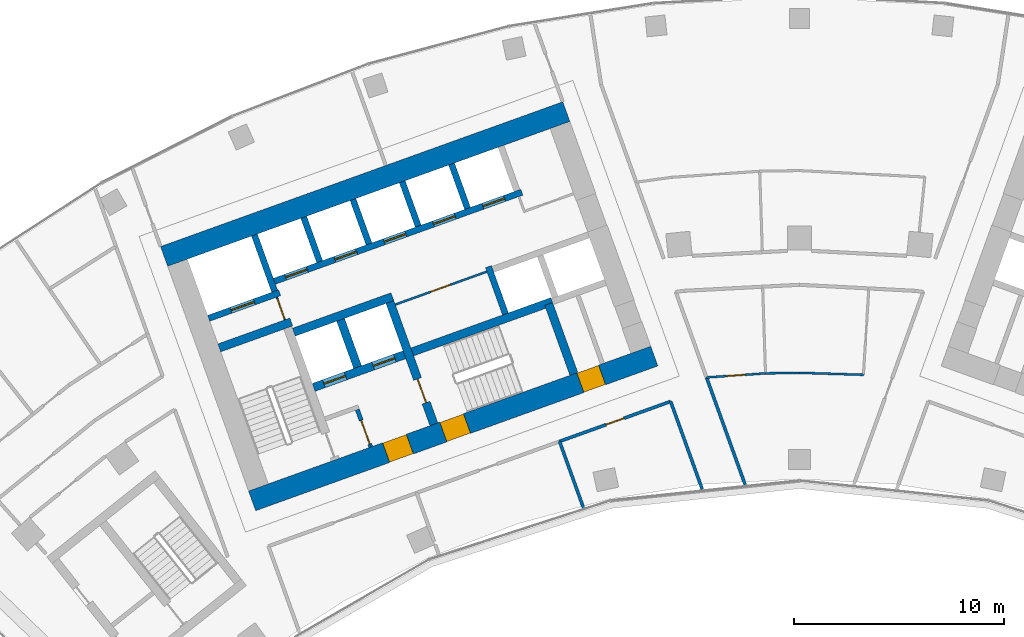
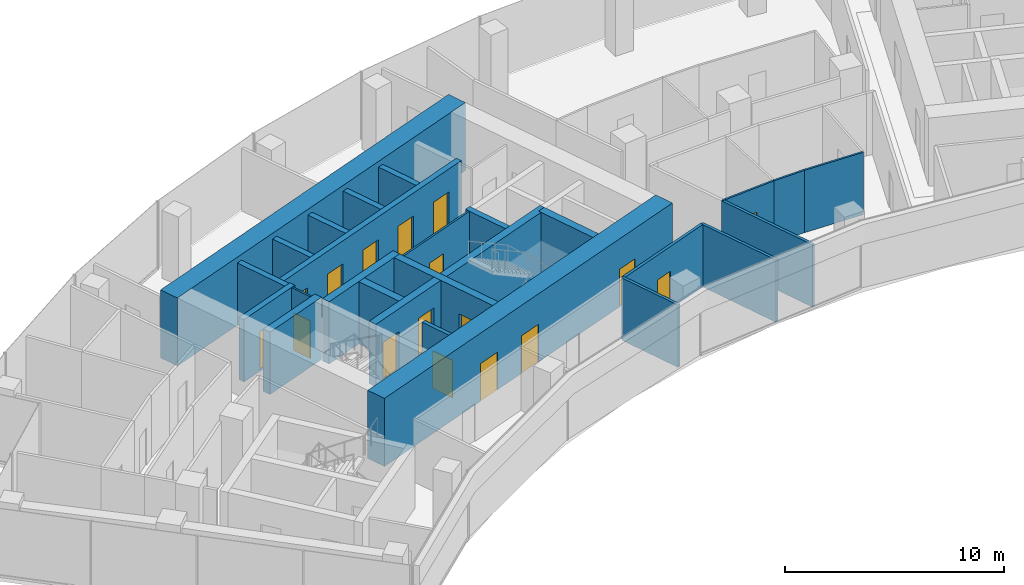
# One storey, part 13 of 19: 26 walls, 17 doors, 17 openings.
"""IFC4 building model written with IfcOpenShell, lengths in metres."""

from ifc_helpers import new_model, si_unit, direction, frame, frame_2d, origin, place, context, subcontext, project, spatial, rectangle, extrude, material, layer, layer_set, type_object, element, fill, save


model = new_model("IFC4")

# Units and contexts
model_context = context("Model", 3, precision=1e-05, world=origin(), true_north=direction((0.0, 1.0)))
body_context = subcontext(model_context, "Body", "Model", "MODEL_VIEW")
ifc_project = project(units=[si_unit("LENGTHUNIT", "METRE"), si_unit("AREAUNIT", "SQUARE_METRE"), si_unit("VOLUMEUNIT", "CUBIC_METRE"), si_unit("PLANEANGLEUNIT", "RADIAN"), si_unit("MASSUNIT", "GRAM", prefix="KILO")], contexts=[model_context])

# Site, building, storey
site_placement = place(None, origin())
site = spatial("IfcSite", under=ifc_project, at=site_placement, CompositionType="ELEMENT")
building_placement = place(site_placement, origin())
building = spatial("IfcBuilding", under=site, at=building_placement, Name="Stone Belt Terrace Tower", CompositionType="ELEMENT")
storey_placement = place(building_placement, frame((0.0, 0.0, 208.60009765625)))
storey = spatial("IfcBuildingStorey", under=building, at=storey_placement, Name="L50", CompositionType="ELEMENT", Elevation=208.60009765625)

# Wall, opening, door
ifc_material_1 = material(Name="Plasterboard partition")
ifc_layer_1 = layer(ifc_material_1, 0.10009765625)
ifc_layer_set_1 = layer_set([ifc_layer_1], Name="Core partition 100")
wall_type_1 = type_object("IfcWallType", Name="Core partition 100", PredefinedType="PARTITIONING", material=ifc_layer_set_1)
wall_1_placement = place(storey_placement, frame((-24.555908203125, 51.10400390625, 0.0), z_axis=(0.0, 0.0, 1.0), x_axis=(-0.338621735342, 0.94092258999, 0.0)))
wall_1 = element("IfcWall", 1, at=wall_1_placement, inside=storey, type_object=wall_type_1, Name="Core A wall", PredefinedType="PARTITIONING", context=body_context, shape_type="SweptSolid", body=[
    extrude(rectangle(XDim=1.14990234375, YDim=0.10009765625, at=frame_2d((0.574951171875, 0.0))), origin(), (0.0, 0.0, 1.0), 3.47998046875),
])
opening_1_placement = place(wall_1_placement, frame((0.050048828125, 0.0, 0.0)))
opening_1 = element("IfcOpeningElement", 2, at=opening_1_placement, cuts=wall_1, Name="Opening L50-C03", PredefinedType="OPENING", context=body_context, shape_type="SweptSolid", body=[
    extrude(rectangle(XDim=1.0, YDim=2.10009765625, at=frame_2d((0.5, 1.050048828125))), frame((0.0, 0.06005859375, 0.0), z_axis=(0.0, -1.0, 0.0), x_axis=(1.0, 0.0, 0.0)), (0.0, 0.0, 1.0), 0.1201171875),
])
ifc_material_2 = material(Name="Timber door leaf", Category="wood")
door_type_1 = type_object("IfcDoorType", Name="Core room door 1000", OperationType="SINGLE_SWING_LEFT", PredefinedType="DOOR", material=ifc_material_2)
door_1_placement = place(opening_1_placement, origin())
door_1 = element("IfcDoor", 3, at=door_1_placement, inside=storey, type_object=door_type_1, Name="Service lift lobby door core A", OperationType="SINGLE_SWING_RIGHT", OverallHeight=2.10009765625, OverallWidth=1.0, PredefinedType="DOOR", context=body_context, shape_type="SweptSolid", body=[
    extrude(rectangle(XDim=1.0, YDim=2.10009765625, at=frame_2d((0.5, 1.050048828125))), frame((0.0, 0.02490234375, 0.0), z_axis=(0.0, -1.0, 0.0), x_axis=(1.0, 0.0, 0.0)), (0.0, 0.0, 1.0), 0.050048828125),
])
fill(opening_1, door_1)

wall_2_placement = place(storey_placement, frame((-19.29052734375, 51.829833984375, 0.0), z_axis=(0.0, 0.0, 1.0), x_axis=(0.940930240745, 0.338600475563, 0.0)))
wall_2 = element("IfcWall", 4, at=wall_2_placement, inside=storey, type_object=wall_type_1, Name="Core A wall", PredefinedType="PARTITIONING", context=body_context, shape_type="SweptSolid", body=[
    extrude(rectangle(XDim=4.64990234375, YDim=0.10009765625, at=frame_2d((2.324951171875, 0.0))), origin(), (0.0, 0.0, 1.0), 3.47998046875),
])
opening_2_placement = place(wall_2_placement, frame((1.800048828125, 0.0, 0.0)))
opening_2 = element("IfcOpeningElement", 5, at=opening_2_placement, cuts=wall_2, Name="Opening L50-C02", PredefinedType="OPENING", context=body_context, shape_type="SweptSolid", body=[
    extrude(rectangle(XDim=1.0, YDim=2.10009765625, at=frame_2d((0.5, 1.050048828125))), frame((0.0, 0.06005859375, 0.0), z_axis=(0.0, -1.0, 0.0), x_axis=(1.0, 0.0, 0.0)), (0.0, 0.0, 1.0), 0.1201171875),
])
door_2_placement = place(opening_2_placement, origin())
door_2 = element("IfcDoor", 6, at=door_2_placement, inside=storey, type_object=door_type_1, Name="Door to Telecommunications room core A", OperationType="SINGLE_SWING_RIGHT", OverallHeight=2.10009765625, OverallWidth=1.0, PredefinedType="DOOR", context=body_context, shape_type="SweptSolid", body=[
    extrude(rectangle(XDim=1.0, YDim=2.10009765625, at=frame_2d((0.5, 1.050048828125))), frame((0.0, 0.02490234375, 0.0), z_axis=(0.0, -1.0, 0.0), x_axis=(1.0, 0.0, 0.0)), (0.0, 0.0, 1.0), 0.050048828125),
])
fill(opening_2, door_2)

# Wall, openings, doors
ifc_material_3 = material(Name="Concrete B60", Category="concrete")
ifc_layer_2 = layer(ifc_material_3, 1.0)
ifc_layer_set_2 = layer_set([ifc_layer_2], Name="Core wall 1000 B60")
wall_type_2 = type_object("IfcWallType", Name="Core wall 1000 B60", PredefinedType="SHEAR", material=ifc_layer_set_2)
wall_3_placement = place(storey_placement, frame((-26.122314453125, 42.462890625, 0.0), z_axis=(0.0, 0.0, 1.0), x_axis=(0.940921428504, 0.338624962727, 0.0)))
wall_3 = element("IfcWall", 7, at=wall_3_placement, inside=storey, type_object=wall_type_2, Name="Core A wall concave L50", PredefinedType="SHEAR", context=body_context, shape_type="SweptSolid", body=[
    extrude(rectangle(XDim=20.400146484375, YDim=1.0, at=frame_2d((10.2001953125, 0.0))), origin(), (0.0, 0.0, 1.0), 3.7998046875),
])
opening_3_placement = place(wall_3_placement, frame((6.800048828125, 0.0, 0.0)))
opening_3 = element("IfcOpeningElement", 8, at=opening_3_placement, cuts=wall_3, Name="Opening L50-C07", PredefinedType="OPENING", context=body_context, shape_type="SweptSolid", body=[
    extrude(rectangle(XDim=1.199951171875, YDim=2.10009765625, at=frame_2d((0.60009765625, 1.050048828125))), frame((0.0, 0.510009765625, 0.0), z_axis=(0.0, -1.0, 0.0), x_axis=(1.0, 0.0, 0.0)), (0.0, 0.0, 1.0), 1.02001953125),
])
opening_4_placement = place(wall_3_placement, frame((9.699951171875, 0.0, 0.0)))
opening_4 = element("IfcOpeningElement", 9, at=opening_4_placement, cuts=wall_3, Name="Opening L50-C09", PredefinedType="OPENING", context=body_context, shape_type="SweptSolid", body=[
    extrude(rectangle(XDim=1.199951171875, YDim=2.10009765625, at=frame_2d((0.60009765625, 1.050048828125))), frame((0.0, 0.510009765625, 0.0), z_axis=(0.0, -1.0, 0.0), x_axis=(1.0, 0.0, 0.0)), (0.0, 0.0, 1.0), 1.02001953125),
])
opening_5_placement = place(wall_3_placement, frame((16.64990234375, 0.0, 0.0)))
opening_5 = element("IfcOpeningElement", 10, at=opening_5_placement, cuts=wall_3, Name="Opening L50-C11", PredefinedType="OPENING", context=body_context, shape_type="SweptSolid", body=[
    extrude(rectangle(XDim=1.10009765625, YDim=2.10009765625, at=frame_2d((0.550048828125, 1.050048828125))), frame((0.0, 0.510009765625, 0.0), z_axis=(0.0, -1.0, 0.0), x_axis=(1.0, 0.0, 0.0)), (0.0, 0.0, 1.0), 1.02001953125),
])
door_type_2 = type_object("IfcDoorType", Name="Core room door 1100", OperationType="SINGLE_SWING_LEFT", PredefinedType="DOOR", material=ifc_material_2)
door_3_placement = place(opening_5_placement, origin())
door_3 = element("IfcDoor", 11, at=door_3_placement, inside=storey, type_object=door_type_2, Name="Door to Communications riser room core A", OperationType="SINGLE_SWING_RIGHT", OverallHeight=2.10009765625, OverallWidth=1.10009765625, PredefinedType="DOOR", context=body_context, shape_type="SweptSolid", body=[
    extrude(rectangle(XDim=1.10009765625, YDim=2.10009765625, at=frame_2d((0.550048828125, 1.050048828125))), frame((0.0, 0.47998046875, 0.0), z_axis=(0.0, -1.0, 0.0), x_axis=(1.0, 0.0, 0.0)), (0.0, 0.0, 1.0), 0.9599609375),
])
fill(opening_5, door_3)
ifc_material_4 = material(Name="Steel door leaf", Category="steel")
door_type_3 = type_object("IfcDoorType", Name="Fire-fighting lobby door 1200", OperationType="SINGLE_SWING_LEFT", PredefinedType="DOOR", material=ifc_material_4)
door_4_placement = place(opening_3_placement, origin())
door_4 = element("IfcDoor", 12, at=door_4_placement, inside=storey, type_object=door_type_3, Name="Fire-fighting lobby door core A", OperationType="SINGLE_SWING_RIGHT", OverallHeight=2.10009765625, OverallWidth=1.199951171875, PredefinedType="DOOR", context=body_context, shape_type="SweptSolid", body=[
    extrude(rectangle(XDim=1.199951171875, YDim=2.10009765625, at=frame_2d((0.60009765625, 1.050048828125))), frame((0.0, 0.47998046875, 0.0), z_axis=(0.0, -1.0, 0.0), x_axis=(1.0, 0.0, 0.0)), (0.0, 0.0, 1.0), 0.9599609375),
])
fill(opening_3, door_4)
door_type_4 = type_object("IfcDoorType", Name="Stair door 1200", OperationType="SINGLE_SWING_LEFT", PredefinedType="DOOR", material=ifc_material_4)
door_5_placement = place(opening_4_placement, origin())
door_5 = element("IfcDoor", 13, at=door_5_placement, inside=storey, type_object=door_type_4, Name="Stair 2 exit door core A", OperationType="SINGLE_SWING_LEFT", OverallHeight=2.10009765625, OverallWidth=1.199951171875, PredefinedType="DOOR", context=body_context, shape_type="SweptSolid", body=[
    extrude(rectangle(XDim=1.199951171875, YDim=2.10009765625, at=frame_2d((0.60009765625, 1.050048828125))), frame((0.0, 0.47998046875, 0.0), z_axis=(0.0, -1.0, 0.0), x_axis=(1.0, 0.0, 0.0)), (0.0, 0.0, 1.0), 0.9599609375),
])
fill(opening_4, door_5)

# Walls
wall_4_placement = place(storey_placement, frame((-30.3212890625, 54.13037109375, 0.0), z_axis=(0.0, 0.0, 1.0), x_axis=(0.940921428504, 0.338624962727, 0.0)))
element("IfcWall", 14, at=wall_4_placement, inside=storey, type_object=wall_type_2, Name="Core A wall convex L50", PredefinedType="SHEAR", context=body_context, shape_type="SweptSolid", body=[
    extrude(rectangle(XDim=20.400146484375, YDim=1.0, at=frame_2d((10.2001953125, 0.0))), origin(), (0.0, 0.0, 1.0), 3.7998046875),
])
ifc_material_5 = material(Name="Concrete B80", Category="concrete")
ifc_layer_3 = layer(ifc_material_5, 0.39990234375)
ifc_layer_set_3 = layer_set([ifc_layer_3], Name="Fire-fighting lift shaft wall 400")
wall_type_3 = type_object("IfcWallType", Name="Fire-fighting lift shaft wall 400", PredefinedType="SHEAR", material=ifc_layer_set_3)
wall_5_placement = place(storey_placement, frame((-24.130615234375, 50.512939453125, 0.0), z_axis=(0.0, 0.0, 1.0), x_axis=(0.94091168377, 0.338652038744, 0.0)))
element("IfcWall", 15, at=wall_5_placement, inside=storey, type_object=wall_type_3, Name="Core A wall", PredefinedType="SHEAR", context=body_context, shape_type="SweptSolid", body=[
    extrude(rectangle(XDim=5.000244140625, YDim=0.39990234375, at=frame_2d((2.5, 0.0))), origin(), (0.0, 0.0, 1.0), 3.47998046875),
])
wall_6_placement = place(storey_placement, frame((-21.0859375, 48.845458984375, 0.0), z_axis=(0.0, 0.0, 1.0), x_axis=(-0.338629416206, 0.940919825745, 0.0)))
element("IfcWall", 16, at=wall_6_placement, inside=storey, type_object=wall_type_3, Name="Core A wall", PredefinedType="SHEAR", context=body_context, shape_type="SweptSolid", body=[
    extrude(rectangle(XDim=2.400146484375, YDim=0.39990234375, at=frame_2d((1.2001953125, 0.0))), origin(), (0.0, 0.0, 1.0), 3.47998046875),
])

# Wall, opening, door
ifc_layer_4 = layer(ifc_material_5, 0.300048828125)
ifc_layer_set_4 = layer_set([ifc_layer_4], Name="Lift shaft wall 300")
wall_type_4 = type_object("IfcWallType", Name="Lift shaft wall 300", PredefinedType="SHEAR", material=ifc_layer_set_4)
wall_7_placement = place(storey_placement, frame((-28.195068359375, 51.17578125, 0.0), z_axis=(0.0, 0.0, 1.0), x_axis=(0.940901243567, 0.338681044427, 0.0)))
wall_7 = element("IfcWall", 17, at=wall_7_placement, inside=storey, type_object=wall_type_4, Name="Core A wall", PredefinedType="SHEAR", context=body_context, shape_type="SweptSolid", body=[
    extrude(rectangle(XDim=3.599853515625, YDim=0.300048828125, at=frame_2d((1.7998046875, 0.0))), origin(), (0.0, 0.0, 1.0), 3.47998046875),
])
opening_6_placement = place(wall_7_placement, frame((1.1201171875, 0.0, 0.0)))
opening_6 = element("IfcOpeningElement", 18, at=opening_6_placement, cuts=wall_7, Name="Opening L50-LD08", PredefinedType="OPENING", context=body_context, shape_type="SweptSolid", body=[
    extrude(rectangle(XDim=1.199951171875, YDim=2.199951171875, at=frame_2d((0.60009765625, 1.10009765625))), frame((0.0, 0.159912109375, 0.0), z_axis=(0.0, -1.0, 0.0), x_axis=(1.0, 0.0, 0.0)), (0.0, 0.0, 1.0), 0.320068359375),
])
ifc_material_6 = material(Name="Stainless steel door leaf", Category="steel")
door_type_5 = type_object("IfcDoorType", Name="Landing door 1200", OperationType="SLIDING_TO_LEFT", PredefinedType="DOOR", material=ifc_material_6)
door_6_placement = place(opening_6_placement, origin())
door_6 = element("IfcDoor", 19, at=door_6_placement, inside=storey, type_object=door_type_5, Name="Landing door SV1 core A", OperationType="SLIDING_TO_LEFT", OverallHeight=2.199951171875, OverallWidth=1.199951171875, PredefinedType="DOOR", context=body_context, shape_type="SweptSolid", body=[
    extrude(rectangle(XDim=1.199951171875, YDim=2.199951171875, at=frame_2d((0.60009765625, 1.10009765625))), frame((0.0, 0.02490234375, 0.0), z_axis=(0.0, -1.0, 0.0), x_axis=(1.0, 0.0, 0.0)), (0.0, 0.0, 1.0), 0.050048828125),
])
fill(opening_6, door_6)

# Wall
wall_8_placement = place(storey_placement, frame((-25.046875, 52.46826171875, 0.0), z_axis=(0.0, 0.0, 1.0), x_axis=(-0.338549588058, 0.940948551423, 0.0)))
element("IfcWall", 20, at=wall_8_placement, inside=storey, type_object=wall_type_4, Name="Core A wall", PredefinedType="SHEAR", context=body_context, shape_type="SweptSolid", body=[
    extrude(rectangle(XDim=2.849853515625, YDim=0.300048828125, at=frame_2d((1.4248046875, 0.0))), origin(), (0.0, 0.0, 1.0), 3.47998046875),
])

# Wall, openings, doors
wall_9_placement = place(storey_placement, frame((-25.05810546875, 52.9423828125, 0.0), z_axis=(0.0, 0.0, 1.0), x_axis=(0.940921381676, 0.338625092847, 0.0)))
wall_9 = element("IfcWall", 21, at=wall_9_placement, inside=storey, type_object=wall_type_4, Name="Core A wall", PredefinedType="SHEAR", context=body_context, shape_type="SweptSolid", body=[
    extrude(rectangle(XDim=12.550048828125, YDim=0.300048828125, at=frame_2d((6.27490234375, 0.0))), origin(), (0.0, 0.0, 1.0), 3.47998046875),
])
opening_7_placement = place(wall_9_placement, frame((0.570068359375, 0.0, 0.0)))
opening_7 = element("IfcOpeningElement", 22, at=opening_7_placement, cuts=wall_9, Name="Opening L50-LD01", PredefinedType="OPENING", context=body_context, shape_type="SweptSolid", body=[
    extrude(rectangle(XDim=1.10009765625, YDim=2.199951171875, at=frame_2d((0.550048828125, 1.10009765625))), frame((0.0, 0.159912109375, 0.0), z_axis=(0.0, -1.0, 0.0), x_axis=(1.0, 0.0, 0.0)), (0.0, 0.0, 1.0), 0.320068359375),
])
opening_8_placement = place(wall_9_placement, frame((3.070068359375, 0.0, 0.0)))
opening_8 = element("IfcOpeningElement", 23, at=opening_8_placement, cuts=wall_9, Name="Opening L50-LD02", PredefinedType="OPENING", context=body_context, shape_type="SweptSolid", body=[
    extrude(rectangle(XDim=1.10009765625, YDim=2.199951171875, at=frame_2d((0.550048828125, 1.10009765625))), frame((0.0, 0.159912109375, 0.0), z_axis=(0.0, -1.0, 0.0), x_axis=(1.0, 0.0, 0.0)), (0.0, 0.0, 1.0), 0.320068359375),
])
opening_9_placement = place(wall_9_placement, frame((5.570068359375, 0.0, 0.0)))
opening_9 = element("IfcOpeningElement", 24, at=opening_9_placement, cuts=wall_9, Name="Opening L50-LD03", PredefinedType="OPENING", context=body_context, shape_type="SweptSolid", body=[
    extrude(rectangle(XDim=1.10009765625, YDim=2.199951171875, at=frame_2d((0.550048828125, 1.10009765625))), frame((0.0, 0.159912109375, 0.0), z_axis=(0.0, -1.0, 0.0), x_axis=(1.0, 0.0, 0.0)), (0.0, 0.0, 1.0), 0.320068359375),
])
opening_10_placement = place(wall_9_placement, frame((8.070068359375, 0.0, 0.0)))
opening_10 = element("IfcOpeningElement", 25, at=opening_10_placement, cuts=wall_9, Name="Opening L50-LD04", PredefinedType="OPENING", context=body_context, shape_type="SweptSolid", body=[
    extrude(rectangle(XDim=1.10009765625, YDim=2.199951171875, at=frame_2d((0.550048828125, 1.10009765625))), frame((0.0, 0.159912109375, 0.0), z_axis=(0.0, -1.0, 0.0), x_axis=(1.0, 0.0, 0.0)), (0.0, 0.0, 1.0), 0.320068359375),
])
opening_11_placement = place(wall_9_placement, frame((10.570068359375, 0.0, 0.0)))
opening_11 = element("IfcOpeningElement", 26, at=opening_11_placement, cuts=wall_9, Name="Opening L50-LD05", PredefinedType="OPENING", context=body_context, shape_type="SweptSolid", body=[
    extrude(rectangle(XDim=1.10009765625, YDim=2.199951171875, at=frame_2d((0.550048828125, 1.10009765625))), frame((0.0, 0.159912109375, 0.0), z_axis=(0.0, -1.0, 0.0), x_axis=(1.0, 0.0, 0.0)), (0.0, 0.0, 1.0), 0.320068359375),
])
door_type_6 = type_object("IfcDoorType", Name="Landing door 1100", OperationType="SLIDING_TO_LEFT", PredefinedType="DOOR", material=ifc_material_6)
door_7_placement = place(opening_7_placement, origin())
door_7 = element("IfcDoor", 27, at=door_7_placement, inside=storey, type_object=door_type_6, Name="Landing door MR1 core A", OperationType="SLIDING_TO_LEFT", OverallHeight=2.199951171875, OverallWidth=1.10009765625, PredefinedType="DOOR", context=body_context, shape_type="SweptSolid", body=[
    extrude(rectangle(XDim=1.10009765625, YDim=2.199951171875, at=frame_2d((0.550048828125, 1.10009765625))), frame((0.0, 0.02490234375, 0.0), z_axis=(0.0, -1.0, 0.0), x_axis=(1.0, 0.0, 0.0)), (0.0, 0.0, 1.0), 0.050048828125),
])
fill(opening_7, door_7)
door_8_placement = place(opening_8_placement, origin())
door_8 = element("IfcDoor", 28, at=door_8_placement, inside=storey, type_object=door_type_6, Name="Landing door MR2 core A", OperationType="SLIDING_TO_LEFT", OverallHeight=2.199951171875, OverallWidth=1.10009765625, PredefinedType="DOOR", context=body_context, shape_type="SweptSolid", body=[
    extrude(rectangle(XDim=1.10009765625, YDim=2.199951171875, at=frame_2d((0.550048828125, 1.10009765625))), frame((0.0, 0.02490234375, 0.0), z_axis=(0.0, -1.0, 0.0), x_axis=(1.0, 0.0, 0.0)), (0.0, 0.0, 1.0), 0.050048828125),
])
fill(opening_8, door_8)
door_9_placement = place(opening_9_placement, origin())
door_9 = element("IfcDoor", 29, at=door_9_placement, inside=storey, type_object=door_type_6, Name="Landing door MR3 core A", OperationType="SLIDING_TO_LEFT", OverallHeight=2.199951171875, OverallWidth=1.10009765625, PredefinedType="DOOR", context=body_context, shape_type="SweptSolid", body=[
    extrude(rectangle(XDim=1.10009765625, YDim=2.199951171875, at=frame_2d((0.550048828125, 1.10009765625))), frame((0.0, 0.02490234375, 0.0), z_axis=(0.0, -1.0, 0.0), x_axis=(1.0, 0.0, 0.0)), (0.0, 0.0, 1.0), 0.050048828125),
])
fill(opening_9, door_9)
door_10_placement = place(opening_10_placement, origin())
door_10 = element("IfcDoor", 30, at=door_10_placement, inside=storey, type_object=door_type_6, Name="Landing door MR4 core A", OperationType="SLIDING_TO_LEFT", OverallHeight=2.199951171875, OverallWidth=1.10009765625, PredefinedType="DOOR", context=body_context, shape_type="SweptSolid", body=[
    extrude(rectangle(XDim=1.10009765625, YDim=2.199951171875, at=frame_2d((0.550048828125, 1.10009765625))), frame((0.0, 0.02490234375, 0.0), z_axis=(0.0, -1.0, 0.0), x_axis=(1.0, 0.0, 0.0)), (0.0, 0.0, 1.0), 0.050048828125),
])
fill(opening_10, door_10)
door_11_placement = place(opening_11_placement, origin())
door_11 = element("IfcDoor", 31, at=door_11_placement, inside=storey, type_object=door_type_6, Name="Landing door MR5 core A", OperationType="SLIDING_TO_LEFT", OverallHeight=2.199951171875, OverallWidth=1.10009765625, PredefinedType="DOOR", context=body_context, shape_type="SweptSolid", body=[
    extrude(rectangle(XDim=1.10009765625, YDim=2.199951171875, at=frame_2d((0.550048828125, 1.10009765625))), frame((0.0, 0.02490234375, 0.0), z_axis=(0.0, -1.0, 0.0), x_axis=(1.0, 0.0, 0.0)), (0.0, 0.0, 1.0), 0.050048828125),
])
fill(opening_11, door_11)

# Walls
wall_10_placement = place(storey_placement, frame((-22.897705078125, 53.87939453125, 0.0), z_axis=(0.0, 0.0, 1.0), x_axis=(-0.338535034312, 0.940953787677, 0.0)))
element("IfcWall", 32, at=wall_10_placement, inside=storey, type_object=wall_type_4, Name="Core A wall", PredefinedType="SHEAR", context=body_context, shape_type="SweptSolid", body=[
    extrude(rectangle(XDim=2.25, YDim=0.300048828125, at=frame_2d((1.125, 0.0))), origin(), (0.0, 0.0, 1.0), 3.47998046875),
])
wall_11_placement = place(storey_placement, frame((-20.54541015625, 54.72607421875, 0.0), z_axis=(0.0, 0.0, 1.0), x_axis=(-0.338569601369, 0.940941350472, 0.0)))
element("IfcWall", 33, at=wall_11_placement, inside=storey, type_object=wall_type_4, Name="Core A wall", PredefinedType="SHEAR", context=body_context, shape_type="SweptSolid", body=[
    extrude(rectangle(XDim=2.249755859375, YDim=0.300048828125, at=frame_2d((1.125, 0.0))), origin(), (0.0, 0.0, 1.0), 3.47998046875),
])
wall_12_placement = place(storey_placement, frame((-18.193115234375, 55.572509765625, 0.0), z_axis=(0.0, 0.0, 1.0), x_axis=(-0.338535034312, 0.940953787677, 0.0)))
element("IfcWall", 34, at=wall_12_placement, inside=storey, type_object=wall_type_4, Name="Core A wall", PredefinedType="SHEAR", context=body_context, shape_type="SweptSolid", body=[
    extrude(rectangle(XDim=2.25, YDim=0.300048828125, at=frame_2d((1.125, 0.0))), origin(), (0.0, 0.0, 1.0), 3.47998046875),
])
wall_13_placement = place(storey_placement, frame((-14.029052734375, 51.38525390625, 0.0), z_axis=(0.0, 0.0, 1.0), x_axis=(-0.338661829791, 0.940908159728, 0.0)))
element("IfcWall", 35, at=wall_13_placement, inside=storey, type_object=wall_type_4, Name="Core A wall", PredefinedType="SHEAR", context=body_context, shape_type="SweptSolid", body=[
    extrude(rectangle(XDim=2.39990234375, YDim=0.300048828125, at=frame_2d((1.199951171875, 0.0))), origin(), (0.0, 0.0, 1.0), 3.47998046875),
])
wall_14_placement = place(storey_placement, frame((-15.8408203125, 56.419189453125, 0.0), z_axis=(0.0, 0.0, 1.0), x_axis=(-0.338569601369, 0.940941350472, 0.0)))
element("IfcWall", 36, at=wall_14_placement, inside=storey, type_object=wall_type_4, Name="Core A wall", PredefinedType="SHEAR", context=body_context, shape_type="SweptSolid", body=[
    extrude(rectangle(XDim=2.249755859375, YDim=0.300048828125, at=frame_2d((1.125, 0.0))), origin(), (0.0, 0.0, 1.0), 3.47998046875),
])

# Wall, opening, door
ifc_material_7 = material(Name="Gypsum board partition")
ifc_layer_5 = layer(ifc_material_7, 0.10009765625)
ifc_layer_set_5 = layer_set([ifc_layer_5], Name="PARTITION 100")
wall_type_5 = type_object("IfcWallType", Name="PARTITION 100", PredefinedType="PARTITIONING", material=ifc_layer_set_5)
wall_15_placement = place(storey_placement, frame((-4.43505859375, 48.35302734375, 0.0), z_axis=(0.0, 0.0, 1.0), x_axis=(0.997607542548, 0.069131693538, 0.0)))
wall_15 = element("IfcWall", 37, at=wall_15_placement, inside=storey, type_object=wall_type_5, Name="L50/wall/i081", PredefinedType="PARTITIONING", context=body_context, shape_type="SweptSolid", body=[
    extrude(rectangle(XDim=2.82177734375, YDim=0.10009765625, at=frame_2d((1.410888671875, 0.0))), origin(), (0.0, 0.0, 1.0), 3.47998046875),
])
opening_12_placement = place(wall_15_placement, frame((0.9609375, 0.0, 0.0)))
opening_12 = element("IfcOpeningElement", 38, at=opening_12_placement, cuts=wall_15, Name="Opening D-D2-23", PredefinedType="OPENING", context=body_context, shape_type="SweptSolid", body=[
    extrude(rectangle(XDim=0.89990234375, YDim=2.10009765625, at=frame_2d((0.449951171875, 1.050048828125))), frame((0.0, 0.06005859375, 0.0), z_axis=(0.0, -1.0, 0.0), x_axis=(1.0, 0.0, 0.0)), (0.0, 0.0, 1.0), 0.1201171875),
])
door_type_7 = type_object("IfcDoorType", Name="OFFICE DOOR 900 X 2100", OperationType="NOTDEFINED", PredefinedType="DOOR", material=ifc_material_2)
door_12_placement = place(opening_12_placement, origin())
door_12 = element("IfcDoor", 39, at=door_12_placement, inside=storey, type_object=door_type_7, Name="L50/door/i23", OperationType="SINGLE_SWING_RIGHT", OverallHeight=2.10009765625, OverallWidth=0.89990234375, PredefinedType="DOOR", context=body_context, shape_type="SweptSolid", body=[
    extrude(rectangle(XDim=0.89990234375, YDim=2.10009765625, at=frame_2d((0.449951171875, 1.050048828125))), frame((0.0, 0.02490234375, 0.0), z_axis=(0.0, -1.0, 0.0), x_axis=(1.0, 0.0, 0.0)), (0.0, 0.0, 1.0), 0.050048828125),
])
fill(opening_12, door_12)

# Walls
wall_16_placement = place(storey_placement, frame((-1.6201171875, 48.548095703125, 0.0), z_axis=(0.0, 0.0, 1.0), x_axis=(0.999862642261, 0.016573973877, 0.0)))
element("IfcWall", 40, at=wall_16_placement, inside=storey, type_object=wall_type_5, Name="L50/wall/i082", PredefinedType="PARTITIONING", context=body_context, shape_type="SweptSolid", body=[
    extrude(rectangle(XDim=1.620361328125, YDim=0.10009765625, at=frame_2d((0.81005859375, 0.0))), origin(), (0.0, 0.0, 1.0), 3.47998046875),
])
wall_17_placement = place(storey_placement, frame((0.0, 48.574951171875, 0.0), z_axis=(0.0, 0.0, 1.0), x_axis=(0.999505892336, -0.031432008937, 0.0)))
element("IfcWall", 41, at=wall_17_placement, inside=storey, type_object=wall_type_5, Name="L50/wall/i083", PredefinedType="PARTITIONING", context=body_context, shape_type="SweptSolid", body=[
    extrude(rectangle(XDim=3.052490234375, YDim=0.10009765625, at=frame_2d((1.5263671875, 0.0))), origin(), (0.0, 0.0, 1.0), 3.47998046875),
])
ifc_layer_6 = layer(ifc_material_7, 0.14990234375)
ifc_layer_set_6 = layer_set([ifc_layer_6], Name="PARTITION 150 EI 60")
wall_type_6 = type_object("IfcWallType", Name="PARTITION 150 EI 60", PredefinedType="PARTITIONING", material=ifc_layer_set_6)
wall_18_placement = place(storey_placement, frame((-4.638427734375, 43.012451171875, 0.0), z_axis=(0.0, 0.0, 1.0), x_axis=(-0.338583902482, 0.940936204522, 0.0)))
element("IfcWall", 42, at=wall_18_placement, inside=storey, type_object=wall_type_6, Name="L50/wall/i008", PredefinedType="PARTITIONING", context=body_context, shape_type="SweptSolid", body=[
    extrude(rectangle(XDim=4.464111328125, YDim=0.14990234375, at=frame_2d((2.23193359375, 0.0))), origin(), (0.0, 0.0, 1.0), 3.47998046875),
])
wall_19_placement = place(storey_placement, frame((-4.43701171875, 48.35888671875, 0.0), z_axis=(0.0, 0.0, 1.0), x_axis=(0.338675079684, -0.940903390578, 0.0)))
element("IfcWall", 43, at=wall_19_placement, inside=storey, type_object=wall_type_6, Name="L50/wall/i010", PredefinedType="PARTITIONING", context=body_context, shape_type="SweptSolid", body=[
    extrude(rectangle(XDim=5.453369140625, YDim=0.14990234375, at=frame_2d((2.7265625, 0.0))), origin(), (0.0, 0.0, 1.0), 3.47998046875),
])

# Wall, opening, door
wall_20_placement = place(storey_placement, frame((-6.14892578125, 47.20703125, 0.0), z_axis=(0.0, 0.0, 1.0), x_axis=(-0.940959690795, -0.338518626223, 0.0)))
wall_20 = element("IfcWall", 44, at=wall_20_placement, inside=storey, type_object=wall_type_6, Name="L50/wall/i017", PredefinedType="PARTITIONING", context=body_context, shape_type="SweptSolid", body=[
    extrude(rectangle(XDim=5.63916015625, YDim=0.14990234375, at=frame_2d((2.819580078125, 0.0))), origin(), (0.0, 0.0, 1.0), 3.47998046875),
])
opening_13_placement = place(wall_20_placement, frame((2.369384765625, 0.0, 0.0)))
opening_13 = element("IfcOpeningElement", 45, at=opening_13_placement, cuts=wall_20, Name="Opening D-D2-03", PredefinedType="OPENING", context=body_context, shape_type="SweptSolid", body=[
    extrude(rectangle(XDim=0.89990234375, YDim=2.10009765625, at=frame_2d((0.449951171875, 1.050048828125))), frame((0.0, 0.0849609375, 0.0), z_axis=(0.0, -1.0, 0.0), x_axis=(1.0, 0.0, 0.0)), (0.0, 0.0, 1.0), 0.169921875),
])
door_13_placement = place(opening_13_placement, origin())
door_13 = element("IfcDoor", 46, at=door_13_placement, inside=storey, type_object=door_type_7, Name="L50/door/i03", OperationType="SINGLE_SWING_RIGHT", OverallHeight=2.10009765625, OverallWidth=0.89990234375, PredefinedType="DOOR", context=body_context, shape_type="SweptSolid", body=[
    extrude(rectangle(XDim=0.89990234375, YDim=2.10009765625, at=frame_2d((0.449951171875, 1.050048828125))), frame((0.0, 0.02490234375, 0.0), z_axis=(0.0, -1.0, 0.0), x_axis=(1.0, 0.0, 0.0)), (0.0, 0.0, 1.0), 0.050048828125),
])
fill(opening_13, door_13)

# Wall
wall_21_placement = place(storey_placement, frame((-11.448974609375, 45.299072265625, 0.0), z_axis=(0.0, 0.0, 1.0), x_axis=(0.338613969627, -0.9409253847, 0.0)))
element("IfcWall", 47, at=wall_21_placement, inside=storey, type_object=wall_type_6, Name="L50/wall/i020", PredefinedType="PARTITIONING", context=body_context, shape_type="SweptSolid", body=[
    extrude(rectangle(XDim=3.35986328125, YDim=0.14990234375, at=frame_2d((1.679931640625, 0.0))), origin(), (0.0, 0.0, 1.0), 3.47998046875),
])

# Wall, opening, door
ifc_material_8 = material(Name="Concrete masonry block", Category="masonry")
ifc_layer_7 = layer(ifc_material_8, 0.199951171875)
ifc_layer_set_7 = layer_set([ifc_layer_7], Name="Rated lobby wall 200")
wall_type_7 = type_object("IfcWallType", Name="Rated lobby wall 200", PredefinedType="PARTITIONING", material=ifc_layer_set_7)
wall_22_placement = place(storey_placement, frame((-20.4580078125, 45.032958984375, 0.0), z_axis=(0.0, 0.0, 1.0), x_axis=(-0.338573865316, 0.940939816208, 0.0)))
wall_22 = element("IfcWall", 48, at=wall_22_placement, inside=storey, type_object=wall_type_7, Name="Core A wall", PredefinedType="PARTITIONING", context=body_context, shape_type="SweptSolid", body=[
    extrude(rectangle(XDim=1.900146484375, YDim=0.199951171875, at=frame_2d((0.9501953125, 0.0))), origin(), (0.0, 0.0, 1.0), 3.47998046875),
])
opening_14_placement = place(wall_22_placement, frame((0.14990234375, 0.0, 0.0)))
opening_14 = element("IfcOpeningElement", 49, at=opening_14_placement, cuts=wall_22, Name="Opening L50-C06", PredefinedType="OPENING", context=body_context, shape_type="SweptSolid", body=[
    extrude(rectangle(XDim=1.199951171875, YDim=2.10009765625, at=frame_2d((0.60009765625, 1.050048828125))), frame((0.0, 0.10986328125, 0.0), z_axis=(0.0, -1.0, 0.0), x_axis=(1.0, 0.0, 0.0)), (0.0, 0.0, 1.0), 0.219970703125),
])
door_14_placement = place(opening_14_placement, origin())
door_14 = element("IfcDoor", 50, at=door_14_placement, inside=storey, type_object=door_type_4, Name="Stair airlock door core A", OperationType="SINGLE_SWING_RIGHT", OverallHeight=2.10009765625, OverallWidth=1.199951171875, PredefinedType="DOOR", context=body_context, shape_type="SweptSolid", body=[
    extrude(rectangle(XDim=1.199951171875, YDim=2.10009765625, at=frame_2d((0.60009765625, 1.050048828125))), frame((0.0, 0.02490234375, 0.0), z_axis=(0.0, -1.0, 0.0), x_axis=(1.0, 0.0, 0.0)), (0.0, 0.0, 1.0), 0.050048828125),
])
fill(opening_14, door_14)

# Wall
ifc_layer_8 = layer(ifc_material_5, 0.39990234375)
ifc_layer_set_8 = layer_set([ifc_layer_8], Name="Stair enclosure wall 400")
wall_type_8 = type_object("IfcWallType", Name="Stair enclosure wall 400", PredefinedType="SHEAR", material=ifc_layer_set_8)
wall_23_placement = place(storey_placement, frame((-27.687255859375, 49.764404296875, 0.0), z_axis=(0.0, 0.0, 1.0), x_axis=(0.940918954884, 0.338631835981, 0.0)))
element("IfcWall", 51, at=wall_23_placement, inside=storey, type_object=wall_type_8, Name="Core A wall", PredefinedType="SHEAR", context=body_context, shape_type="SweptSolid", body=[
    extrude(rectangle(XDim=3.650146484375, YDim=0.39990234375, at=frame_2d((1.8251953125, 0.0))), origin(), (0.0, 0.0, 1.0), 3.47998046875),
])

# Wall, openings, doors
wall_24_placement = place(storey_placement, frame((-23.182373046875, 47.87841796875, 0.0), z_axis=(0.0, 0.0, 1.0), x_axis=(0.940921101762, 0.338625870628, 0.0)))
wall_24 = element("IfcWall", 52, at=wall_24_placement, inside=storey, type_object=wall_type_8, Name="Core A wall", PredefinedType="SHEAR", context=body_context, shape_type="SweptSolid", body=[
    extrude(rectangle(XDim=12.10009765625, YDim=0.39990234375, at=frame_2d((6.050048828125, 0.0))), origin(), (0.0, 0.0, 1.0), 3.47998046875),
])
opening_15_placement = place(wall_24_placement, frame((0.52001953125, 0.0, 0.0)))
opening_15 = element("IfcOpeningElement", 53, at=opening_15_placement, cuts=wall_24, Name="Opening L50-LD06", PredefinedType="OPENING", context=body_context, shape_type="SweptSolid", body=[
    extrude(rectangle(XDim=1.10009765625, YDim=2.199951171875, at=frame_2d((0.550048828125, 1.10009765625))), frame((0.0, 0.2099609375, 0.0), z_axis=(0.0, -1.0, 0.0), x_axis=(1.0, 0.0, 0.0)), (0.0, 0.0, 1.0), 0.419921875),
])
opening_16_placement = place(wall_24_placement, frame((3.02001953125, 0.0, 0.0)))
opening_16 = element("IfcOpeningElement", 54, at=opening_16_placement, cuts=wall_24, Name="Opening L50-LD07", PredefinedType="OPENING", context=body_context, shape_type="SweptSolid", body=[
    extrude(rectangle(XDim=1.10009765625, YDim=2.199951171875, at=frame_2d((0.550048828125, 1.10009765625))), frame((0.0, 0.2099609375, 0.0), z_axis=(0.0, -1.0, 0.0), x_axis=(1.0, 0.0, 0.0)), (0.0, 0.0, 1.0), 0.419921875),
])
door_15_placement = place(opening_15_placement, origin())
door_15 = element("IfcDoor", 55, at=door_15_placement, inside=storey, type_object=door_type_6, Name="Landing door FF1 core A", OperationType="SLIDING_TO_LEFT", OverallHeight=2.199951171875, OverallWidth=1.10009765625, PredefinedType="DOOR", context=body_context, shape_type="SweptSolid", body=[
    extrude(rectangle(XDim=1.10009765625, YDim=2.199951171875, at=frame_2d((0.550048828125, 1.10009765625))), frame((0.0, 0.02490234375, 0.0), z_axis=(0.0, -1.0, 0.0), x_axis=(1.0, 0.0, 0.0)), (0.0, 0.0, 1.0), 0.050048828125),
])
fill(opening_15, door_15)
door_16_placement = place(opening_16_placement, origin())
door_16 = element("IfcDoor", 56, at=door_16_placement, inside=storey, type_object=door_type_6, Name="Landing door FF2 core A", OperationType="SLIDING_TO_LEFT", OverallHeight=2.199951171875, OverallWidth=1.10009765625, PredefinedType="DOOR", context=body_context, shape_type="SweptSolid", body=[
    extrude(rectangle(XDim=1.10009765625, YDim=2.199951171875, at=frame_2d((0.550048828125, 1.10009765625))), frame((0.0, 0.02490234375, 0.0), z_axis=(0.0, -1.0, 0.0), x_axis=(1.0, 0.0, 0.0)), (0.0, 0.0, 1.0), 0.050048828125),
])
fill(opening_16, door_16)

# Wall, opening, door
wall_25_placement = place(storey_placement, frame((-17.447021484375, 46.116455078125, 0.0), z_axis=(0.0, 0.0, 1.0), x_axis=(-0.33860791464, 0.940927563707, 0.0)))
wall_25 = element("IfcWall", 57, at=wall_25_placement, inside=storey, type_object=wall_type_8, Name="Core A wall", PredefinedType="SHEAR", context=body_context, shape_type="SweptSolid", body=[
    extrude(rectangle(XDim=6.199951171875, YDim=0.39990234375, at=frame_2d((3.10009765625, 0.0))), origin(), (0.0, 0.0, 1.0), 3.47998046875),
])
opening_17_placement = place(wall_25_placement, frame((1.10009765625, 0.0, 0.0)))
opening_17 = element("IfcOpeningElement", 58, at=opening_17_placement, cuts=wall_25, Name="Opening L50-C08", PredefinedType="OPENING", context=body_context, shape_type="SweptSolid", body=[
    extrude(rectangle(XDim=1.199951171875, YDim=2.10009765625, at=frame_2d((0.60009765625, 1.050048828125))), frame((0.0, 0.2099609375, 0.0), z_axis=(0.0, -1.0, 0.0), x_axis=(1.0, 0.0, 0.0)), (0.0, 0.0, 1.0), 0.419921875),
])
door_17_placement = place(opening_17_placement, origin())
door_17 = element("IfcDoor", 59, at=door_17_placement, inside=storey, type_object=door_type_4, Name="Stair 2 door core A", OperationType="SINGLE_SWING_RIGHT", OverallHeight=2.10009765625, OverallWidth=1.199951171875, PredefinedType="DOOR", context=body_context, shape_type="SweptSolid", body=[
    extrude(rectangle(XDim=1.199951171875, YDim=2.10009765625, at=frame_2d((0.60009765625, 1.050048828125))), frame((0.0, 0.02490234375, 0.0), z_axis=(0.0, -1.0, 0.0), x_axis=(1.0, 0.0, 0.0)), (0.0, 0.0, 1.0), 0.050048828125),
])
fill(opening_17, door_17)

# Wall
wall_26_placement = place(storey_placement, frame((-10.766357421875, 48.520751953125, 0.0), z_axis=(0.0, 0.0, 1.0), x_axis=(-0.338626928157, 0.94092072117, 0.0)))
element("IfcWall", 60, at=wall_26_placement, inside=storey, type_object=wall_type_8, Name="Core A wall", PredefinedType="SHEAR", context=body_context, shape_type="SweptSolid", body=[
    extrude(rectangle(XDim=3.550048828125, YDim=0.39990234375, at=frame_2d((1.77490234375, 0.0))), origin(), (0.0, 0.0, 1.0), 3.47998046875),
])

save(model, "model.ifc")
